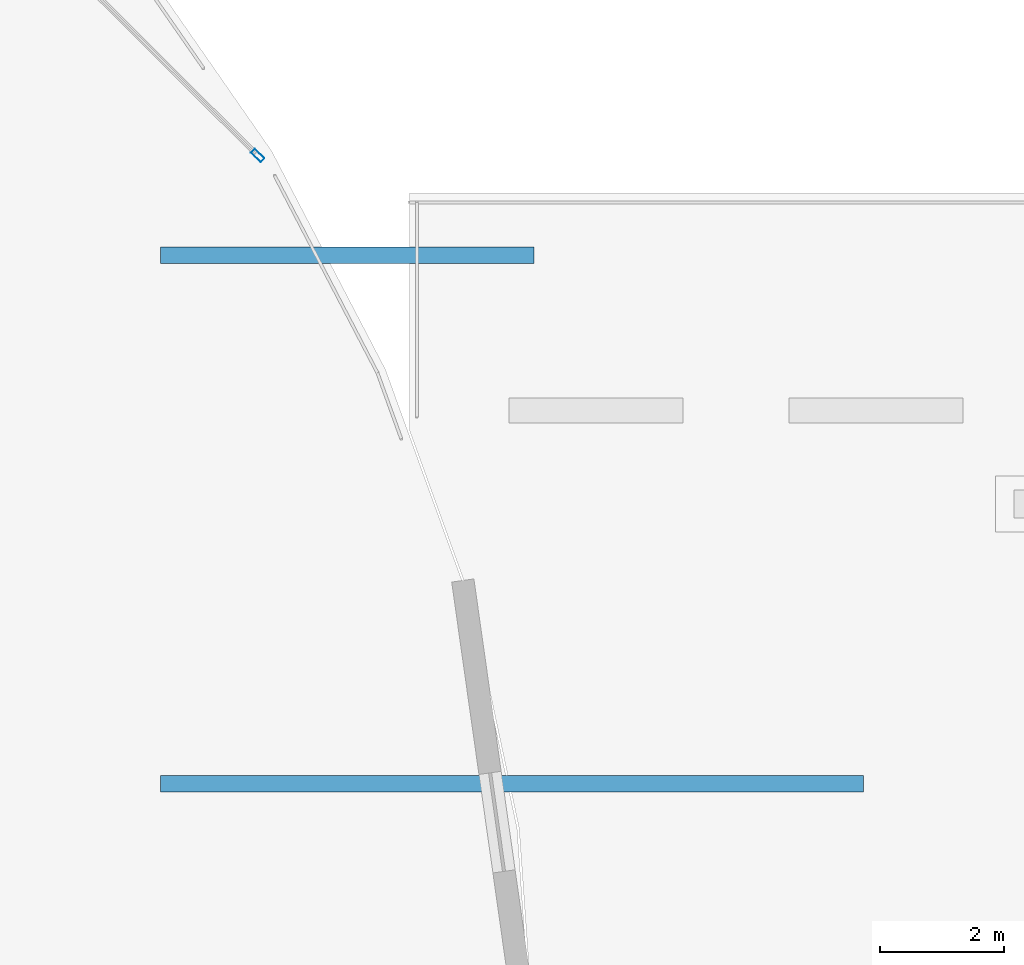
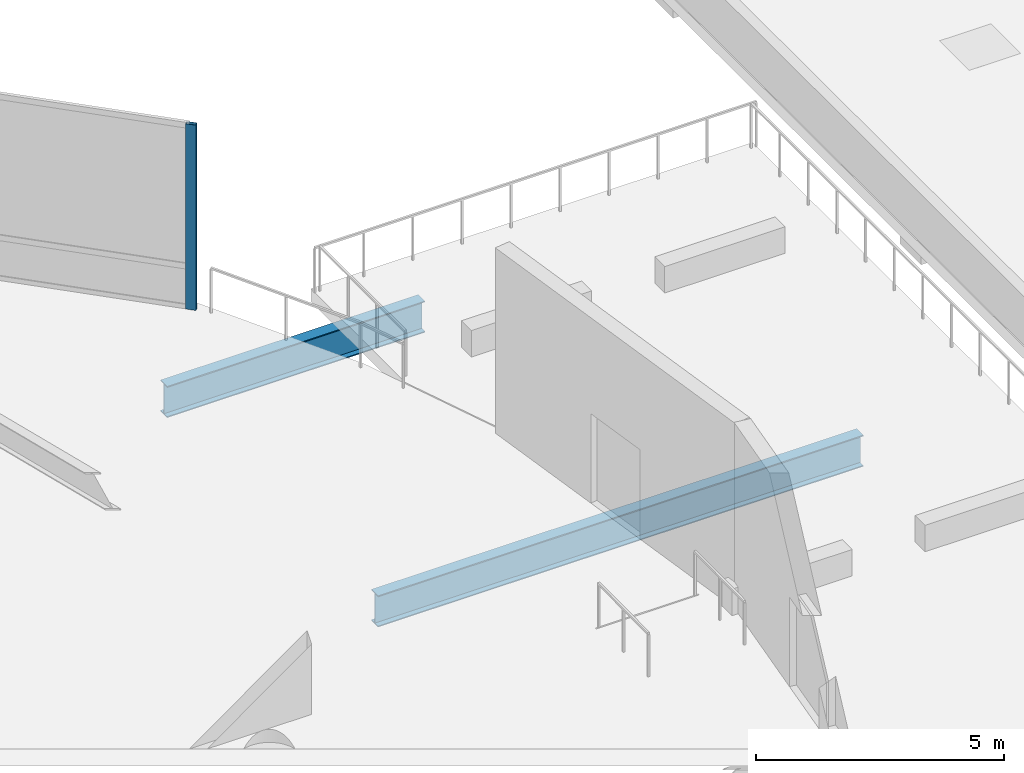
# One storey, part 10 of 26: 2 beams, 1 member, 1 element without a shape of its own.
"""IFC4 building model written with IfcOpenShell, lengths in metres."""

from ifc_helpers import new_model, si_unit, direction, frame, origin, origin_2d, place, context, subcontext, project, spatial, hollow_rectangle, i_section, extrude, material, layer, layer_set, material_profile, profile_set, type_object, element, aggregate, save


model = new_model("IFC4")

# Units and contexts
model_context = context("Model", 3, precision=1e-05, world=origin(), true_north=direction((0.0, 1.0)))
body_context = subcontext(model_context, "Body", "Model", "MODEL_VIEW")
ifc_project = project(units=[si_unit("LENGTHUNIT", "METRE"), si_unit("AREAUNIT", "SQUARE_METRE"), si_unit("VOLUMEUNIT", "CUBIC_METRE"), si_unit("PLANEANGLEUNIT", "RADIAN"), si_unit("MASSUNIT", "GRAM", prefix="KILO")], contexts=[model_context])

# Site, building, storey
site_placement = place(None, origin())
site = spatial("IfcSite", under=ifc_project, at=site_placement, CompositionType="ELEMENT")
building_placement = place(site_placement, origin())
building = spatial("IfcBuilding", under=site, at=building_placement, Name="Kazevale Care Tower and Concert Hall", CompositionType="ELEMENT")
storey_placement = place(building_placement, frame((0.0, 0.0, 19.199951171875)))
storey = spatial("IfcBuildingStorey", under=building, at=storey_placement, Name="L04", CompositionType="ELEMENT", Elevation=19.199951171875)

# Curtain wall, member
ifc_material_1 = material(Name="Aluminium 6063-T6 and Low-E Glass", Category="aluminium")
ifc_layer = layer(ifc_material_1, 0.179931640625)
ifc_layer_set = layer_set([ifc_layer], Name="Aluminium 6063-T6 and Low-E Glass")
curtain_wall_type = type_object("IfcCurtainWallType", Name="Podium Double-Skin Medical Curtain Wall CW-1", PredefinedType="NOTDEFINED", material=ifc_layer_set)
curtain_wall_placement = place(storey_placement, origin())
curtain_wall = element("IfcCurtainWall", 1, at=curtain_wall_placement, inside=storey, type_object=curtain_wall_type, Name="cw:L04:pod:02", PredefinedType="NOTDEFINED")
ifc_material_2 = material(Name="Aluminium 6063-T6", Category="aluminium")
ifc_material_profile_1 = material_profile(ifc_material_2, hollow_rectangle(XDim=0.090087890625, YDim=0.219970703125, WallThickness=0.0048828125, at=origin_2d()), Name="ALU90x220x5")
ifc_profile_set_1 = profile_set([ifc_material_profile_1], Name="Aluminium 6063-T6")
member_type = type_object("IfcMemberType", Name="CW-1 Mullion ALU90x220x5", PredefinedType="MULLION", material=ifc_profile_set_1)
member_placement = place(storey_placement, frame((83.06103515625, 52.601806640625, 0.0), z_axis=(0.0, 0.0, 1.0), x_axis=(-0.705655814257, -0.708554776856, 0.0)))
member = element("IfcMember", 2, at=member_placement, type_object=member_type, Name="CW-1 mullion 1", PredefinedType="MULLION", context=body_context, shape_type="SweptSolid", body=[
    extrude(hollow_rectangle(XDim=0.090087890625, YDim=0.219970703125, WallThickness=0.0048828125, at=origin_2d()), origin(), (0.0, 0.0, 1.0), 4.56005859375),
])
aggregate(curtain_wall, [member])

# Beams
ifc_material_3 = material(Name="Steel ASTM A572 Gr 50", Category="steel")
ifc_material_profile_2 = material_profile(ifc_material_3, i_section(OverallWidth=0.26806640625, OverallDepth=0.77001953125, WebThickness=0.015625, FlangeThickness=0.025390625, at=origin_2d()), Name="W760x196")
ifc_profile_set_2 = profile_set([ifc_material_profile_2], Name="Steel ASTM A572 Gr 50")
beam_type = type_object("IfcBeamType", Name="Podium Primary Girder W760x196", PredefinedType="BEAM", material=ifc_profile_set_2)
beam_1_placement = place(storey_placement, frame((81.5, 42.5, -0.704833984375), z_axis=(1.0, 0.0, 0.0), x_axis=(0.0, 1.0, 0.0)))
element("IfcBeam", 3, at=beam_1_placement, inside=storey, type_object=beam_type, Name="beam:L04:gbridge:3", PredefinedType="BEAM", context=body_context, shape_type="SweptSolid", body=[
    extrude(i_section(OverallWidth=0.26806640625, OverallDepth=0.77001953125, WebThickness=0.015625, FlangeThickness=0.025390625, at=origin_2d()), origin(), (0.0, 0.0, 1.0), 11.300048828125),
])
beam_2_placement = place(storey_placement, frame((81.5, 51.0, -0.704833984375), z_axis=(1.0, 0.0, 0.0), x_axis=(0.0, 1.0, 0.0)))
element("IfcBeam", 4, at=beam_2_placement, inside=storey, type_object=beam_type, Name="beam:L04:gbridge:4", PredefinedType="BEAM", context=body_context, shape_type="SweptSolid", body=[
    extrude(i_section(OverallWidth=0.26806640625, OverallDepth=0.77001953125, WebThickness=0.015625, FlangeThickness=0.025390625, at=origin_2d()), origin(), (0.0, 0.0, 1.0), 6.0),
])

save(model, "model.ifc")
